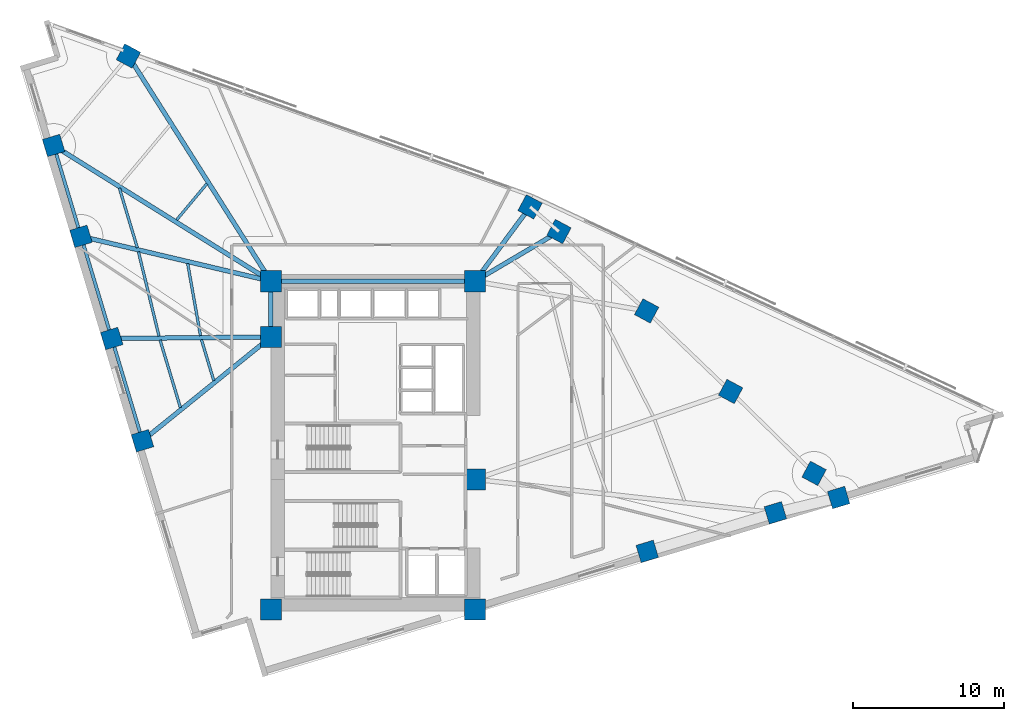
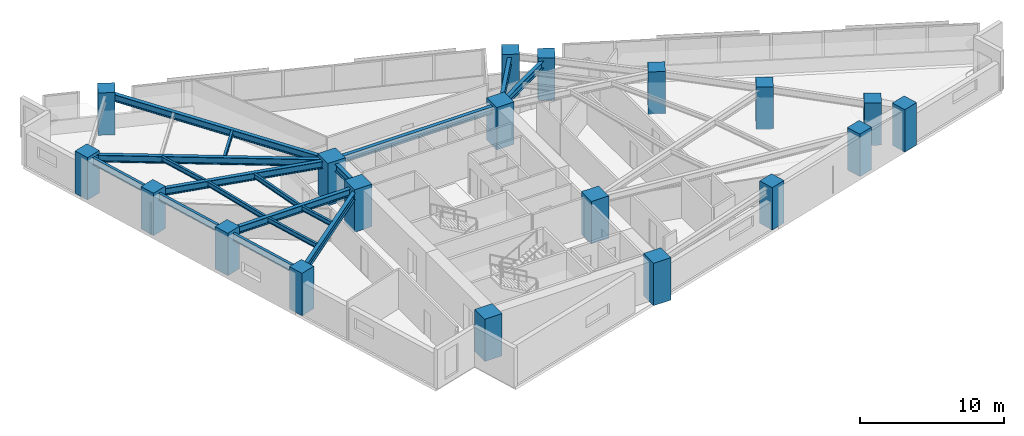
# One storey, part 1 of 14: 19 columns, 18 beams.
"""IFC4 building model written with IfcOpenShell, lengths in metres."""

import ifcopenshell
import ifcopenshell.guid

model = None  # the IFC model being written
_history = None  # IfcOwnerHistory: only IFC2X3 demands one
_inside = {}  # id of a spatial element -> (the spatial element, [elements in it])
_under = {}  # id of a project, library or spatial element -> (it, [spatial elements below it])
_declared = {}  # id of a project -> (the project, [libraries it declares])
_typed = {}  # id of a type object -> (the type object, [elements of that type])
_made_of = {}  # id of a material, layer set ... -> (it, [elements and type objects made of it])


def new_model(schema):
    """Start an empty IFC model of exactly this schema.

    Asked for "IFC4X3", IfcOpenShell would pick the latest addendum, in which some entities
    have other attributes; the version numbers below select the first issue.
    IFC2X3 requires an IfcOwnerHistory on every rooted entity: one is made here for all.
    """
    global model, _history
    if schema == "IFC4X3":
        model = ifcopenshell.file(schema_version=(4, 3, 0, 0))
    else:
        model = ifcopenshell.file(schema=schema)
    _inside.clear()
    _under.clear()
    _declared.clear()
    _typed.clear()
    _made_of.clear()
    _history = None
    if model.schema == "IFC2X3":
        org = make("IfcOrganization", Name="unknown")
        user = make(
            "IfcPersonAndOrganization",
            ThePerson=make("IfcPerson", FamilyName="unknown"),
            TheOrganization=org,
        )
        app = make(
            "IfcApplication",
            ApplicationDeveloper=org,
            Version="unknown",
            ApplicationFullName="unknown",
            ApplicationIdentifier="unknown",
        )
        _history = make(
            "IfcOwnerHistory",
            OwningUser=user,
            OwningApplication=app,
            ChangeAction="ADDED",
            CreationDate=0,
        )
    return model


def make(cls, **values):
    """One entity of the class cls with the attributes given. An attribute that is None is left unset."""
    return model.create_entity(
        cls, **{name: value for name, value in values.items() if value is not None}
    )


def rooted(cls, **values):
    """An entity with a GlobalId (a new one), such as an element, a storey or a relation."""
    return make(cls, GlobalId=ifcopenshell.guid.new(), OwnerHistory=_history, **values)


def si_unit(unit_type, name, prefix=None):
    """IfcSIUnit, for example si_unit("LENGTHUNIT", "METRE", prefix="MILLI")."""
    return make("IfcSIUnit", UnitType=unit_type, Prefix=prefix, Name=name)


def assignment(units):
    """IfcUnitAssignment: the units of a project."""
    return None if units is None else make("IfcUnitAssignment", Units=units)


def point(xyz):
    """IfcCartesianPoint."""
    return None if xyz is None else make("IfcCartesianPoint", Coordinates=xyz)


def direction(xyz):
    """IfcDirection."""
    return None if xyz is None else make("IfcDirection", DirectionRatios=xyz)


def frame(location, z_axis=None, x_axis=None):
    """IfcAxis2Placement3D, a coordinate frame: its origin and axes. An axis left out is left unset."""
    return make(
        "IfcAxis2Placement3D",
        Location=point(location),
        Axis=direction(z_axis),
        RefDirection=direction(x_axis),
    )


def frame_2d(location, x_axis=None):
    """IfcAxis2Placement2D, a coordinate frame in the plane: its origin and x axis."""
    return make(
        "IfcAxis2Placement2D", Location=point(location), RefDirection=direction(x_axis)
    )


def origin():
    """The frame at (0, 0, 0) with its axes left unset."""
    return frame((0.0, 0.0, 0.0))


def origin_2d():
    """The frame at (0, 0) in the plane with its x axis left unset."""
    return frame_2d((0.0, 0.0))


def place(relative_to, where):
    """IfcLocalPlacement: puts the frame where relative to a parent placement (None: the world)."""
    return make(
        "IfcLocalPlacement", PlacementRelTo=relative_to, RelativePlacement=where
    )


def context(
    kind, dimensions, precision=None, world=None, true_north=None, identifier=None
):
    """IfcGeometricRepresentationContext, for example the 3D "Model" context."""
    return make(
        "IfcGeometricRepresentationContext",
        ContextIdentifier=identifier,
        ContextType=kind,
        CoordinateSpaceDimension=dimensions,
        Precision=precision,
        WorldCoordinateSystem=world,
        TrueNorth=true_north,
    )


def subcontext(parent, identifier, kind, view, scale=None):
    """IfcGeometricRepresentationSubContext, for example "Body" below "Model"."""
    return make(
        "IfcGeometricRepresentationSubContext",
        ContextIdentifier=identifier,
        ContextType=kind,
        ParentContext=parent,
        TargetScale=scale,
        TargetView=view,
    )


def project(units=None, contexts=None):
    """IfcProject with its units and contexts."""
    return rooted(
        "IfcProject",
        Name="project",
        RepresentationContexts=contexts,
        UnitsInContext=assignment(units),
    )


def spatial(cls, under=None, at=None, **own):
    """A site, building, storey or space (cls), placed at a placement, below another one or the project."""
    s = rooted(cls, ObjectPlacement=at, **own)
    if under is not None:
        _under.setdefault(under.id(), (under, []))[1].append(s)
    return s


def profile(cls, at=None, kind="AREA", **sizes):
    """A parametric profile (cls). Its sizes go by their IFC names, for example OverallWidth=200.0."""
    return make(cls, ProfileType=kind, Position=at, **sizes)


def rectangle(**sizes):
    """IfcRectangleProfileDef."""
    return profile("IfcRectangleProfileDef", **sizes)


def i_section(**sizes):
    """IfcIShapeProfileDef."""
    return profile("IfcIShapeProfileDef", **sizes)


def extrude(swept, where, along, depth):
    """IfcExtrudedAreaSolid: the profile swept, set in the frame where, extruded along a direction by depth."""
    return make(
        "IfcExtrudedAreaSolid",
        SweptArea=swept,
        Position=where,
        ExtrudedDirection=direction(along),
        Depth=depth,
    )


def shape(context_of_items, identifier, shape_type, items):
    """IfcShapeRepresentation: the items that make up one representation, for example the "Body"."""
    return make(
        "IfcShapeRepresentation",
        ContextOfItems=context_of_items,
        RepresentationIdentifier=identifier,
        RepresentationType=shape_type,
        Items=items,
    )


def material(Name=None, Category=None):
    """IfcMaterial."""
    return make("IfcMaterial", Name=Name, Category=Category)


def material_profile(
    of_material, cross_section, Name=None, Category=None, Priority=None
):
    """IfcMaterialProfile: a cross section and its material."""
    return make(
        "IfcMaterialProfile",
        Name=Name,
        Material=of_material,
        Profile=cross_section,
        Priority=Priority,
        Category=Category,
    )


def profile_set(profiles, Name=None, composite=None):
    """IfcMaterialProfileSet."""
    return make(
        "IfcMaterialProfileSet",
        Name=Name,
        MaterialProfiles=profiles,
        CompositeProfile=composite,
    )


def made_of(thing, what):
    """Note that an element or type object is made of a material, layer set ...; save() writes the relation."""
    if what is not None:
        _made_of.setdefault(what.id(), (what, []))[1].append(thing)
    return thing


def type_object(cls, material=None, **own):
    """A type object (cls), such as IfcWallType, which elements share."""
    return made_of(rooted(cls, **own), material)


def element(
    cls,
    number,
    at=None,
    inside=None,
    cuts=None,
    type_object=None,
    material=None,
    context=None,
    identifier="Body",
    shape_type=None,
    held_by="IfcProductDefinitionShape",
    body=None,
    shapes=None,
    **own,
):
    """One element of the class cls, such as IfcWall. Its Tag is "e" and its number.

    at: its placement. inside: the storey or other place that contains it. cuts: it is an
    opening in that element (IfcRelVoidsElement). A single representation is given by context,
    identifier, shape_type and body (its items); several are given by shapes. held_by: the class
    of the entity that holds the representations. save() writes the other relations.
    """
    e = rooted(cls, Tag="e%d" % number, ObjectPlacement=at, **own)
    if body is not None:
        shapes = [shape(context, identifier, shape_type, body)]
    if shapes is not None:
        e.Representation = make(held_by, Representations=shapes)
    if inside is not None:
        _inside.setdefault(inside.id(), (inside, []))[1].append(e)
    if cuts is not None:
        rooted(
            "IfcRelVoidsElement", RelatingBuildingElement=cuts, RelatedOpeningElement=e
        )
    if type_object is not None:
        _typed.setdefault(type_object.id(), (type_object, []))[1].append(e)
    return made_of(e, material)


def aggregate(whole, parts):
    """IfcRelAggregates: a whole, such as a stair, and the parts it consists of."""
    return rooted("IfcRelAggregates", RelatingObject=whole, RelatedObjects=parts)


def save(model, path):
    """Write the relations noted so far, then the file.

    IfcRelAggregates (storeys below a building ...), IfcRelContainedInSpatialStructure (elements
    in a storey), IfcRelDefinesByType, IfcRelAssociatesMaterial and IfcRelDeclares: one each for
    every whole, place, type object, material and project.
    """
    for whole, parts in _under.values():
        aggregate(whole, parts)
    for where, things in _inside.values():
        rooted(
            "IfcRelContainedInSpatialStructure",
            RelatedElements=things,
            RelatingStructure=where,
        )
    for kind, things in _typed.values():
        rooted("IfcRelDefinesByType", RelatedObjects=things, RelatingType=kind)
    for what, things in _made_of.values():
        rooted("IfcRelAssociatesMaterial", RelatedObjects=things, RelatingMaterial=what)
    for by, libraries in _declared.values():
        rooted("IfcRelDeclares", RelatingContext=by, RelatedDefinitions=libraries)
    model.write(path)


model = new_model("IFC4")

# Units and contexts
model_context = context("Model", 3, precision=1e-05, world=origin(), true_north=direction((0.0, 1.0)))
body_context = subcontext(model_context, "Body", "Model", "MODEL_VIEW")
ifc_project = project(units=[si_unit("LENGTHUNIT", "METRE"), si_unit("AREAUNIT", "SQUARE_METRE"), si_unit("VOLUMEUNIT", "CUBIC_METRE"), si_unit("PLANEANGLEUNIT", "RADIAN"), si_unit("MASSUNIT", "GRAM", prefix="KILO")], contexts=[model_context])

# Site, building, storey
site_placement = place(None, origin())
site = spatial("IfcSite", under=ifc_project, at=site_placement, CompositionType="ELEMENT")
building_placement = place(site_placement, origin())
building = spatial("IfcBuilding", under=site, at=building_placement, Name="Narakoshi Arena Tower", CompositionType="ELEMENT")
storey_placement = place(building_placement, frame((0.0, 0.0, 135.89990234375)))
storey = spatial("IfcBuildingStorey", under=building, at=storey_placement, Name="L36", CompositionType="ELEMENT", Elevation=135.89990234375)

# Columns
ifc_material_1 = material(Name="Concrete C60/75", Category="concrete")
ifc_material_profile_1 = material_profile(ifc_material_1, rectangle(XDim=1.199951171875, YDim=1.199951171875, at=origin_2d()), Name="RC1200x1200")
ifc_profile_set_1 = profile_set([ifc_material_profile_1], Name="Concrete C60/75")
column_type_1 = type_object("IfcColumnType", Name="COL-RC1200", PredefinedType="COLUMN", material=ifc_profile_set_1)
for number, where, z_axis, x_axis, name in (
    (1, (96.984619140625, 38.565185546875, 0.0), (0.0, 0.0, 1.0), (0.957571360805, 0.288196268134, 0.0), "L36 Tower Perimeter Column TC02"),
    (2, (105.49365234375, 41.126220703125, 0.0), (0.0, 0.0, 1.0), (0.957571360805, 0.288196268134, 0.0), "L36 Tower Perimeter Column TC03"),
    (3, (109.692626953125, 42.13916015625, 0.0), (0.0, 0.0, 1.0), (0.957571360805, 0.288196268134, 0.0), "L36 Tower Perimeter Column TC04"),
    (4, (108.061279296875, 43.74560546875, 0.0), (0.0, 0.0, 1.0), (0.473319667185, 0.880890738205, 0.0), "L36 Tower Perimeter Column TC05"),
    (5, (102.522216796875, 49.17919921875, 0.0), (0.0, 0.0, 1.0), (0.473319667185, 0.880890738205, 0.0), "L36 Tower Perimeter Column TC06"),
    (6, (96.9443359375, 54.528076171875, 0.0), (0.0, 0.0, 1.0), (0.473319667185, 0.880890738205, 0.0), "L36 Tower Perimeter Column TC07"),
    (7, (91.12646484375, 59.798095703125, 0.0), (0.0, 0.0, 1.0), (0.473319667185, 0.880890738205, 0.0), "L36 Tower Perimeter Column TC08"),
    (8, (89.206787109375, 61.437744140625, 0.0), (0.0, 0.0, 1.0), (0.473319667185, 0.880890738205, 0.0), "L36 Tower Perimeter Column TC09"),
    (9, (62.545166015625, 71.4501953125, 0.0), (0.0, 0.0, 1.0), (0.473319667185, 0.880890738205, 0.0), "L36 Tower Perimeter Column TC11"),
    (10, (57.580810546875, 65.51220703125, 0.0), (0.0, 0.0, 1.0), (-0.288196268134, 0.957571360805, 0.0), "L36 Tower Perimeter Column TC13"),
    (11, (59.39599609375, 59.481201171875, 0.0), (0.0, 0.0, 1.0), (-0.288196268134, 0.957571360805, 0.0), "L36 Tower Perimeter Column TC14"),
    (12, (61.43798828125, 52.6962890625, 0.0), (0.0, 0.0, 1.0), (-0.288196268134, 0.957571360805, 0.0), "L36 Tower Perimeter Column TC15"),
    (13, (63.47998046875, 45.91162109375, 0.0), (0.0, 0.0, 1.0), (-0.288196268134, 0.957571360805, 0.0), "L36 Tower Perimeter Column TC16"),
):
    element("IfcColumn", number, at=place(storey_placement, frame(where, z_axis=z_axis, x_axis=x_axis)), inside=storey, type_object=column_type_1, Name=name, PredefinedType="COLUMN", context=body_context, shape_type="SweptSolid", body=[
        extrude(rectangle(XDim=1.199951171875, YDim=1.199951171875, at=origin_2d()), origin(), (0.0, 0.0, 1.0), 3.60009765625),
    ])
ifc_material_profile_2 = material_profile(ifc_material_1, rectangle(XDim=1.39990234375, YDim=1.39990234375, at=origin_2d()), Name="RC1400x1400")
ifc_profile_set_2 = profile_set([ifc_material_profile_2], Name="Concrete C60/75")
column_type_2 = type_object("IfcColumnType", Name="COL-RC1400", PredefinedType="COLUMN", material=ifc_profile_set_2)
for number, where, z_axis, x_axis, name in (
    (14, (72.0, 34.699951171875, 0.0), (0.0, 0.0, 1.0), (1.0, 0.0, 0.0), "L36 Core Structural Column CC1"),
    (15, (85.550048828125, 34.699951171875, 0.0), (0.0, 0.0, 1.0), (1.0, 0.0, 0.0), "L36 Core Structural Column CC2"),
    (16, (85.550048828125, 43.35009765625, 0.0), (0.0, 0.0, 1.0), (1.0, 0.0, 0.0), "L36 Core Structural Column CC3"),
    (17, (72.0, 52.800048828125, 0.0), (0.0, 0.0, 1.0), (1.0, 0.0, 0.0), "L36 Core Structural Column CC4"),
    (18, (72.0, 56.5, 0.0), (0.0, 0.0, 1.0), (1.0, 0.0, 0.0), "L36 Core Structural Column CC5"),
    (19, (85.550048828125, 56.5, 0.0), (0.0, 0.0, 1.0), (1.0, 0.0, 0.0), "L36 Core Structural Column CC6"),
):
    element("IfcColumn", number, at=place(storey_placement, frame(where, z_axis=z_axis, x_axis=x_axis)), inside=storey, type_object=column_type_2, Name=name, PredefinedType="COLUMN", context=body_context, shape_type="SweptSolid", body=[
        extrude(rectangle(XDim=1.39990234375, YDim=1.39990234375, at=origin_2d()), origin(), (0.0, 0.0, 1.0), 3.60009765625),
    ])

# Beams
ifc_material_2 = material(Name="Structural steel S355J2", Category="steel")
ifc_material_profile_3 = material_profile(ifc_material_2, i_section(OverallWidth=0.219970703125, OverallDepth=0.60009765625, WebThickness=0.011962890625, FlangeThickness=0.01904296875, FilletRadius=0.02392578125, at=origin_2d()), Name="IPE600")
ifc_profile_set_3 = profile_set([ifc_material_profile_3], Name="Structural steel S355J2")
beam_type_1 = type_object("IfcBeamType", Name="BM-EDGE-600", PredefinedType="BEAM", material=ifc_profile_set_3)
beam_1_placement = place(storey_placement, frame((57.580810546875, 65.51220703125, 3.0400390625), z_axis=(0.288204829742, -0.957568784011, 0.0), x_axis=(0.957568784011, 0.288204829742, 0.0)))
element("IfcBeam", 20, at=beam_1_placement, inside=storey, type_object=beam_type_1, Name="L36 Perimeter Edge Girder 10", PredefinedType="BEAM", context=body_context, shape_type="SweptSolid", body=[
    extrude(i_section(OverallWidth=0.219970703125, OverallDepth=0.60009765625, WebThickness=0.011962890625, FlangeThickness=0.01904296875, FilletRadius=0.02392578125, at=origin_2d()), origin(), (0.0, 0.0, 1.0), 6.29833984375),
])
beam_2_placement = place(storey_placement, frame((59.39599609375, 59.481201171875, 3.0400390625), z_axis=(0.28819179325, -0.957572707581, 0.0), x_axis=(0.957572707581, 0.28819179325, 0.0)))
element("IfcBeam", 21, at=beam_2_placement, inside=storey, type_object=beam_type_1, Name="L36 Perimeter Edge Girder 11", PredefinedType="BEAM", context=body_context, shape_type="SweptSolid", body=[
    extrude(i_section(OverallWidth=0.219970703125, OverallDepth=0.60009765625, WebThickness=0.011962890625, FlangeThickness=0.01904296875, FilletRadius=0.02392578125, at=origin_2d()), origin(), (0.0, 0.0, 1.0), 7.08544921875),
])
beam_3_placement = place(storey_placement, frame((61.43798828125, 52.6962890625, 3.0400390625), z_axis=(0.288201302245, -0.957569845695, 0.0), x_axis=(0.957569845695, 0.288201302245, 0.0)))
element("IfcBeam", 22, at=beam_3_placement, inside=storey, type_object=beam_type_1, Name="L36 Perimeter Edge Girder 12", PredefinedType="BEAM", context=body_context, shape_type="SweptSolid", body=[
    extrude(i_section(OverallWidth=0.219970703125, OverallDepth=0.60009765625, WebThickness=0.011962890625, FlangeThickness=0.01904296875, FilletRadius=0.02392578125, at=origin_2d()), origin(), (0.0, 0.0, 1.0), 7.085205078125),
])
ifc_material_profile_4 = material_profile(ifc_material_2, i_section(OverallWidth=0.300048828125, OverallDepth=0.60009765625, WebThickness=0.015380859375, FlangeThickness=0.030029296875, FilletRadius=0.027099609375, at=origin_2d()), Name="HE600B")
ifc_profile_set_4 = profile_set([ifc_material_profile_4], Name="Structural steel S355J2")
beam_type_2 = type_object("IfcBeamType", Name="BM-PRI-600", PredefinedType="BEAM", material=ifc_profile_set_4)
beam_4_placement = place(storey_placement, frame((85.550048828125, 56.5, 3.0400390625), z_axis=(0.860727657757, 0.509065712037, 0.0), x_axis=(-0.509065712037, 0.860727657757, 0.0)))
element("IfcBeam", 23, at=beam_4_placement, inside=storey, type_object=beam_type_2, Name="L36 Radial Primary Floor Girder 07", PredefinedType="BEAM", context=body_context, shape_type="SweptSolid", body=[
    extrude(i_section(OverallWidth=0.300048828125, OverallDepth=0.60009765625, WebThickness=0.015380859375, FlangeThickness=0.030029296875, FilletRadius=0.027099609375, at=origin_2d()), origin(), (0.0, 0.0, 1.0), 6.478759765625),
])
beam_5_placement = place(storey_placement, frame((85.550048828125, 56.5, 3.0400390625), z_axis=(0.595138224279, 0.803623353321, 0.0), x_axis=(-0.803623353321, 0.595138224279, 0.0)))
element("IfcBeam", 24, at=beam_5_placement, inside=storey, type_object=beam_type_2, Name="L36 Radial Primary Floor Girder 08", PredefinedType="BEAM", context=body_context, shape_type="SweptSolid", body=[
    extrude(i_section(OverallWidth=0.300048828125, OverallDepth=0.60009765625, WebThickness=0.015380859375, FlangeThickness=0.030029296875, FilletRadius=0.027099609375, at=origin_2d()), origin(), (0.0, 0.0, 1.0), 6.144287109375),
])
beam_6_placement = place(storey_placement, frame((72.0, 56.5, 3.0400390625), z_axis=(-0.534502303868, 0.845167017317, 0.0), x_axis=(-0.845167017317, -0.534502303868, 0.0)))
element("IfcBeam", 25, at=beam_6_placement, inside=storey, type_object=beam_type_2, Name="L36 Radial Primary Floor Girder 09", PredefinedType="BEAM", context=body_context, shape_type="SweptSolid", body=[
    extrude(i_section(OverallWidth=0.300048828125, OverallDepth=0.60009765625, WebThickness=0.015380859375, FlangeThickness=0.030029296875, FilletRadius=0.027099609375, at=origin_2d()), origin(), (0.0, 0.0, 1.0), 17.68896484375),
])
beam_7_placement = place(storey_placement, frame((72.0, 56.5, 3.0400390625), z_axis=(-0.847992657587, 0.530007974165, 0.0), x_axis=(-0.530007974165, -0.847992657587, 0.0)))
element("IfcBeam", 26, at=beam_7_placement, inside=storey, type_object=beam_type_2, Name="L36 Radial Primary Floor Girder 10", PredefinedType="BEAM", context=body_context, shape_type="SweptSolid", body=[
    extrude(i_section(OverallWidth=0.300048828125, OverallDepth=0.60009765625, WebThickness=0.015380859375, FlangeThickness=0.030029296875, FilletRadius=0.027099609375, at=origin_2d()), origin(), (0.0, 0.0, 1.0), 17.00390625),
])
beam_8_placement = place(storey_placement, frame((72.0, 56.5, 3.0400390625), z_axis=(-0.973148771856, 0.230177035857, 0.0), x_axis=(-0.230177035857, -0.973148771856, 0.0)))
element("IfcBeam", 27, at=beam_8_placement, inside=storey, type_object=beam_type_2, Name="L36 Radial Primary Floor Girder 11", PredefinedType="BEAM", context=body_context, shape_type="SweptSolid", body=[
    extrude(i_section(OverallWidth=0.300048828125, OverallDepth=0.60009765625, WebThickness=0.015380859375, FlangeThickness=0.030029296875, FilletRadius=0.027099609375, at=origin_2d()), origin(), (0.0, 0.0, 1.0), 12.95166015625),
])
beam_9_placement = place(storey_placement, frame((72.0, 52.800048828125, 3.0400390625), z_axis=(-0.999951749341, -0.009823389891, 0.0), x_axis=(0.009823389891, -0.999951749341, 0.0)))
element("IfcBeam", 28, at=beam_9_placement, inside=storey, type_object=beam_type_2, Name="L36 Radial Primary Floor Girder 12", PredefinedType="BEAM", context=body_context, shape_type="SweptSolid", body=[
    extrude(i_section(OverallWidth=0.300048828125, OverallDepth=0.60009765625, WebThickness=0.015380859375, FlangeThickness=0.030029296875, FilletRadius=0.027099609375, at=origin_2d()), origin(), (0.0, 0.0, 1.0), 10.5625),
])
beam_10_placement = place(storey_placement, frame((72.0, 52.800048828125, 3.0400390625), z_axis=(-0.777634431076, -0.628716702184, 0.0), x_axis=(0.628716702184, -0.777634431076, 0.0)))
element("IfcBeam", 29, at=beam_10_placement, inside=storey, type_object=beam_type_2, Name="L36 Radial Primary Floor Girder 13", PredefinedType="BEAM", context=body_context, shape_type="SweptSolid", body=[
    extrude(i_section(OverallWidth=0.300048828125, OverallDepth=0.60009765625, WebThickness=0.015380859375, FlangeThickness=0.030029296875, FilletRadius=0.027099609375, at=origin_2d()), origin(), (0.0, 0.0, 1.0), 10.956298828125),
])
beam_11_placement = place(storey_placement, frame((72.0, 52.800048828125, 3.0400390625), z_axis=(0.0, 1.0, 0.0), x_axis=(-1.0, 0.0, 0.0)))
element("IfcBeam", 30, at=beam_11_placement, inside=storey, type_object=beam_type_2, Name="L36 Core Perimeter Frame Beam CC4-CC5", PredefinedType="BEAM", context=body_context, shape_type="SweptSolid", body=[
    extrude(i_section(OverallWidth=0.300048828125, OverallDepth=0.60009765625, WebThickness=0.015380859375, FlangeThickness=0.030029296875, FilletRadius=0.027099609375, at=origin_2d()), origin(), (0.0, 0.0, 1.0), 3.699951171875),
])
beam_12_placement = place(storey_placement, frame((72.0, 56.5, 3.0400390625), z_axis=(1.0, 0.0, 0.0), x_axis=(0.0, 1.0, 0.0)))
element("IfcBeam", 31, at=beam_12_placement, inside=storey, type_object=beam_type_2, Name="L36 Core Perimeter Frame Beam CC5-CC6", PredefinedType="BEAM", context=body_context, shape_type="SweptSolid", body=[
    extrude(i_section(OverallWidth=0.300048828125, OverallDepth=0.60009765625, WebThickness=0.015380859375, FlangeThickness=0.030029296875, FilletRadius=0.027099609375, at=origin_2d()), origin(), (0.0, 0.0, 1.0), 13.550048828125),
])
ifc_material_profile_5 = material_profile(ifc_material_2, i_section(OverallWidth=0.179931640625, OverallDepth=0.39990234375, WebThickness=0.008544921875, FlangeThickness=0.013427734375, FilletRadius=0.02099609375, at=origin_2d()), Name="IPE400")
ifc_profile_set_5 = profile_set([ifc_material_profile_5], Name="Structural steel S355J2")
beam_type_3 = type_object("IfcBeamType", Name="BM-SEC-400", PredefinedType="JOIST", material=ifc_profile_set_5)
beam_13_placement = place(storey_placement, frame((67.75341796875, 62.974609375, 3.14013671875), z_axis=(-0.641393594334, -0.767212002739, 0.0), x_axis=(0.767212002739, -0.641393594334, 0.0)))
element("IfcBeam", 32, at=beam_13_placement, inside=storey, type_object=beam_type_3, Name="L36 Composite Secondary Floor Joist 07", PredefinedType="JOIST", context=body_context, shape_type="SweptSolid", body=[
    extrude(i_section(OverallWidth=0.179931640625, OverallDepth=0.39990234375, WebThickness=0.008544921875, FlangeThickness=0.013427734375, FilletRadius=0.02099609375, at=origin_2d()), origin(), (0.0, 0.0, 1.0), 3.1357421875),
])
beam_14_placement = place(storey_placement, frame((61.945556640625, 62.67919921875, 3.14013671875), z_axis=(0.288164978579, -0.957580777334, 0.0), x_axis=(0.957580777334, 0.288164978579, 0.0)))
element("IfcBeam", 33, at=beam_14_placement, inside=storey, type_object=beam_type_3, Name="L36 Composite Secondary Floor Joist 09", PredefinedType="JOIST", context=body_context, shape_type="SweptSolid", body=[
    extrude(i_section(OverallWidth=0.179931640625, OverallDepth=0.39990234375, WebThickness=0.008544921875, FlangeThickness=0.013427734375, FilletRadius=0.02099609375, at=origin_2d()), origin(), (0.0, 0.0, 1.0), 4.138671875),
])
beam_15_placement = place(storey_placement, frame((66.477783203125, 57.6787109375, 3.14013671875), z_axis=(0.174932831413, -0.984580369748, 0.0), x_axis=(0.984580369748, 0.174932831413, 0.0)))
element("IfcBeam", 34, at=beam_15_placement, inside=storey, type_object=beam_type_3, Name="L36 Composite Secondary Floor Joist 10", PredefinedType="JOIST", context=body_context, shape_type="SweptSolid", body=[
    extrude(i_section(OverallWidth=0.179931640625, OverallDepth=0.39990234375, WebThickness=0.008544921875, FlangeThickness=0.013427734375, FilletRadius=0.02099609375, at=origin_2d()), origin(), (0.0, 0.0, 1.0), 4.866455078125),
])
beam_16_placement = place(storey_placement, frame((63.209228515625, 58.455810546875, 3.14013671875), z_axis=(0.237007882621, -0.971507726977, 0.0), x_axis=(0.971507726977, 0.237007882621, 0.0)))
element("IfcBeam", 35, at=beam_16_placement, inside=storey, type_object=beam_type_3, Name="L36 Composite Secondary Floor Joist 11", PredefinedType="JOIST", context=body_context, shape_type="SweptSolid", body=[
    extrude(i_section(OverallWidth=0.179931640625, OverallDepth=0.39990234375, WebThickness=0.008544921875, FlangeThickness=0.013427734375, FilletRadius=0.02099609375, at=origin_2d()), origin(), (0.0, 0.0, 1.0), 5.76123046875),
])
beam_17_placement = place(storey_placement, frame((67.3916015625, 52.625, 3.14013671875), z_axis=(0.288260224985, -0.957552109648, 0.0), x_axis=(0.957552109648, 0.288260224985, 0.0)))
element("IfcBeam", 36, at=beam_17_placement, inside=storey, type_object=beam_type_3, Name="L36 Composite Secondary Floor Joist 12", PredefinedType="JOIST", context=body_context, shape_type="SweptSolid", body=[
    extrude(i_section(OverallWidth=0.179931640625, OverallDepth=0.39990234375, WebThickness=0.008544921875, FlangeThickness=0.013427734375, FilletRadius=0.02099609375, at=origin_2d()), origin(), (0.0, 0.0, 1.0), 2.847412109375),
])
beam_18_placement = place(storey_placement, frame((64.6455078125, 52.59814453125, 3.14013671875), z_axis=(0.28819790807, -0.957570867239, 0.0), x_axis=(0.957570867239, 0.28819790807, 0.0)))
element("IfcBeam", 37, at=beam_18_placement, inside=storey, type_object=beam_type_3, Name="L36 Composite Secondary Floor Joist 13", PredefinedType="JOIST", context=body_context, shape_type="SweptSolid", body=[
    extrude(i_section(OverallWidth=0.179931640625, OverallDepth=0.39990234375, WebThickness=0.008544921875, FlangeThickness=0.013427734375, FilletRadius=0.02099609375, at=origin_2d()), origin(), (0.0, 0.0, 1.0), 4.689697265625),
])

save(model, "model.ifc")
